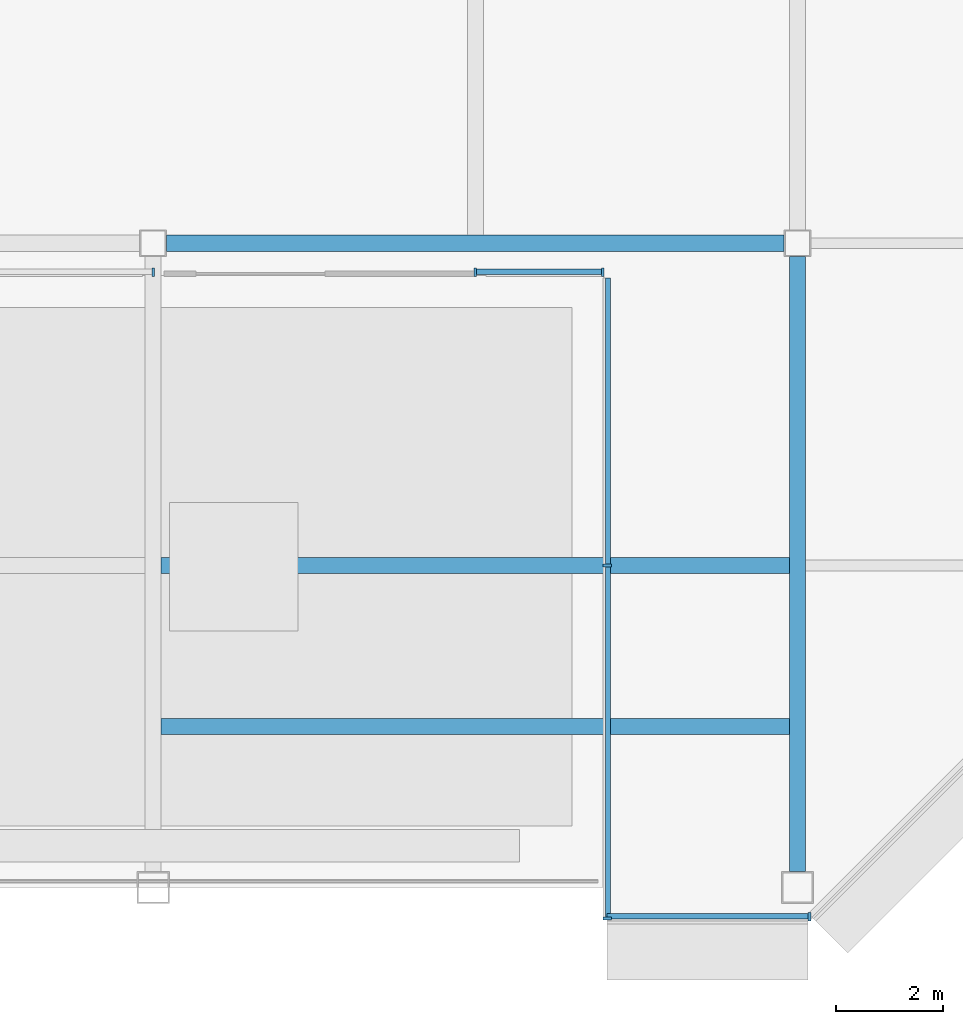
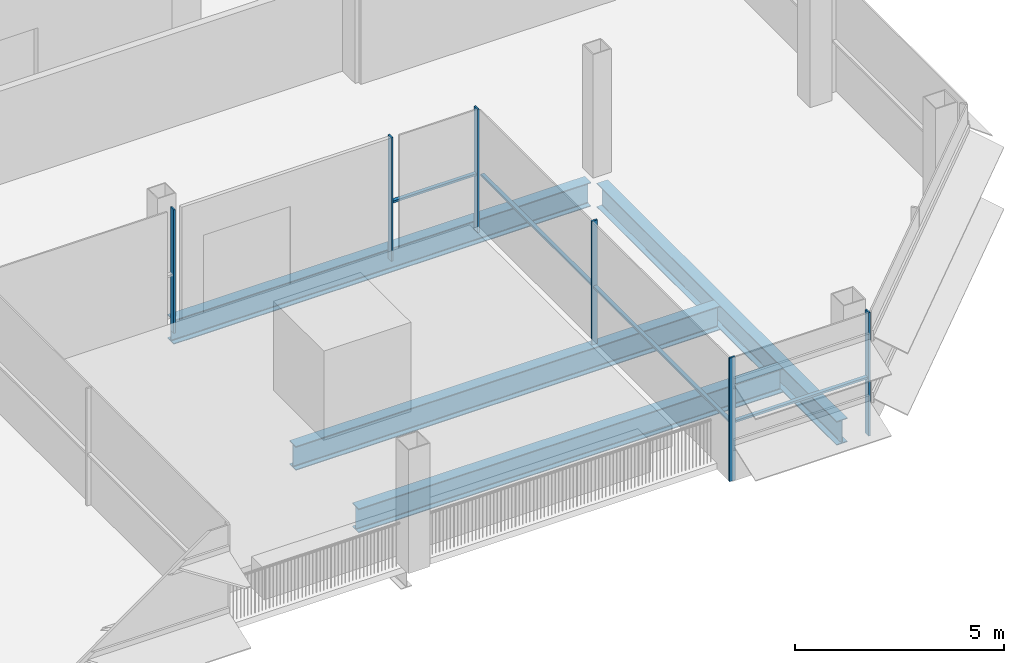
# One storey, part 11 of 30: 9 members, 4 beams, 3 elements without a shape of their own.
"""IFC4 building model written with IfcOpenShell, lengths in metres."""

import ifcopenshell
import ifcopenshell.guid

model = None  # the IFC model being written
_history = None  # IfcOwnerHistory: only IFC2X3 demands one
_inside = {}  # id of a spatial element -> (the spatial element, [elements in it])
_under = {}  # id of a project, library or spatial element -> (it, [spatial elements below it])
_declared = {}  # id of a project -> (the project, [libraries it declares])
_typed = {}  # id of a type object -> (the type object, [elements of that type])
_made_of = {}  # id of a material, layer set ... -> (it, [elements and type objects made of it])


def new_model(schema):
    """Start an empty IFC model of exactly this schema.

    Asked for "IFC4X3", IfcOpenShell would pick the latest addendum, in which some entities
    have other attributes; the version numbers below select the first issue.
    IFC2X3 requires an IfcOwnerHistory on every rooted entity: one is made here for all.
    """
    global model, _history
    if schema == "IFC4X3":
        model = ifcopenshell.file(schema_version=(4, 3, 0, 0))
    else:
        model = ifcopenshell.file(schema=schema)
    _inside.clear()
    _under.clear()
    _declared.clear()
    _typed.clear()
    _made_of.clear()
    _history = None
    if model.schema == "IFC2X3":
        org = make("IfcOrganization", Name="unknown")
        user = make(
            "IfcPersonAndOrganization",
            ThePerson=make("IfcPerson", FamilyName="unknown"),
            TheOrganization=org,
        )
        app = make(
            "IfcApplication",
            ApplicationDeveloper=org,
            Version="unknown",
            ApplicationFullName="unknown",
            ApplicationIdentifier="unknown",
        )
        _history = make(
            "IfcOwnerHistory",
            OwningUser=user,
            OwningApplication=app,
            ChangeAction="ADDED",
            CreationDate=0,
        )
    return model


def make(cls, **values):
    """One entity of the class cls with the attributes given. An attribute that is None is left unset."""
    return model.create_entity(
        cls, **{name: value for name, value in values.items() if value is not None}
    )


def rooted(cls, **values):
    """An entity with a GlobalId (a new one), such as an element, a storey or a relation."""
    return make(cls, GlobalId=ifcopenshell.guid.new(), OwnerHistory=_history, **values)


def si_unit(unit_type, name, prefix=None):
    """IfcSIUnit, for example si_unit("LENGTHUNIT", "METRE", prefix="MILLI")."""
    return make("IfcSIUnit", UnitType=unit_type, Prefix=prefix, Name=name)


def assignment(units):
    """IfcUnitAssignment: the units of a project."""
    return None if units is None else make("IfcUnitAssignment", Units=units)


def point(xyz):
    """IfcCartesianPoint."""
    return None if xyz is None else make("IfcCartesianPoint", Coordinates=xyz)


def direction(xyz):
    """IfcDirection."""
    return None if xyz is None else make("IfcDirection", DirectionRatios=xyz)


def frame(location, z_axis=None, x_axis=None):
    """IfcAxis2Placement3D, a coordinate frame: its origin and axes. An axis left out is left unset."""
    return make(
        "IfcAxis2Placement3D",
        Location=point(location),
        Axis=direction(z_axis),
        RefDirection=direction(x_axis),
    )


def frame_2d(location, x_axis=None):
    """IfcAxis2Placement2D, a coordinate frame in the plane: its origin and x axis."""
    return make(
        "IfcAxis2Placement2D", Location=point(location), RefDirection=direction(x_axis)
    )


def origin():
    """The frame at (0, 0, 0) with its axes left unset."""
    return frame((0.0, 0.0, 0.0))


def origin_2d():
    """The frame at (0, 0) in the plane with its x axis left unset."""
    return frame_2d((0.0, 0.0))


def place(relative_to, where):
    """IfcLocalPlacement: puts the frame where relative to a parent placement (None: the world)."""
    return make(
        "IfcLocalPlacement", PlacementRelTo=relative_to, RelativePlacement=where
    )


def context(
    kind, dimensions, precision=None, world=None, true_north=None, identifier=None
):
    """IfcGeometricRepresentationContext, for example the 3D "Model" context."""
    return make(
        "IfcGeometricRepresentationContext",
        ContextIdentifier=identifier,
        ContextType=kind,
        CoordinateSpaceDimension=dimensions,
        Precision=precision,
        WorldCoordinateSystem=world,
        TrueNorth=true_north,
    )


def subcontext(parent, identifier, kind, view, scale=None):
    """IfcGeometricRepresentationSubContext, for example "Body" below "Model"."""
    return make(
        "IfcGeometricRepresentationSubContext",
        ContextIdentifier=identifier,
        ContextType=kind,
        ParentContext=parent,
        TargetScale=scale,
        TargetView=view,
    )


def project(units=None, contexts=None):
    """IfcProject with its units and contexts."""
    return rooted(
        "IfcProject",
        Name="project",
        RepresentationContexts=contexts,
        UnitsInContext=assignment(units),
    )


def spatial(cls, under=None, at=None, **own):
    """A site, building, storey or space (cls), placed at a placement, below another one or the project."""
    s = rooted(cls, ObjectPlacement=at, **own)
    if under is not None:
        _under.setdefault(under.id(), (under, []))[1].append(s)
    return s


def profile(cls, at=None, kind="AREA", **sizes):
    """A parametric profile (cls). Its sizes go by their IFC names, for example OverallWidth=200.0."""
    return make(cls, ProfileType=kind, Position=at, **sizes)


def rectangle(**sizes):
    """IfcRectangleProfileDef."""
    return profile("IfcRectangleProfileDef", **sizes)


def i_section(**sizes):
    """IfcIShapeProfileDef."""
    return profile("IfcIShapeProfileDef", **sizes)


def extrude(swept, where, along, depth):
    """IfcExtrudedAreaSolid: the profile swept, set in the frame where, extruded along a direction by depth."""
    return make(
        "IfcExtrudedAreaSolid",
        SweptArea=swept,
        Position=where,
        ExtrudedDirection=direction(along),
        Depth=depth,
    )


def shape(context_of_items, identifier, shape_type, items):
    """IfcShapeRepresentation: the items that make up one representation, for example the "Body"."""
    return make(
        "IfcShapeRepresentation",
        ContextOfItems=context_of_items,
        RepresentationIdentifier=identifier,
        RepresentationType=shape_type,
        Items=items,
    )


def material(Name=None, Category=None):
    """IfcMaterial."""
    return make("IfcMaterial", Name=Name, Category=Category)


def material_profile(
    of_material, cross_section, Name=None, Category=None, Priority=None
):
    """IfcMaterialProfile: a cross section and its material."""
    return make(
        "IfcMaterialProfile",
        Name=Name,
        Material=of_material,
        Profile=cross_section,
        Priority=Priority,
        Category=Category,
    )


def profile_set(profiles, Name=None, composite=None):
    """IfcMaterialProfileSet."""
    return make(
        "IfcMaterialProfileSet",
        Name=Name,
        MaterialProfiles=profiles,
        CompositeProfile=composite,
    )


def made_of(thing, what):
    """Note that an element or type object is made of a material, layer set ...; save() writes the relation."""
    if what is not None:
        _made_of.setdefault(what.id(), (what, []))[1].append(thing)
    return thing


def type_object(cls, material=None, **own):
    """A type object (cls), such as IfcWallType, which elements share."""
    return made_of(rooted(cls, **own), material)


def element(
    cls,
    number,
    at=None,
    inside=None,
    cuts=None,
    type_object=None,
    material=None,
    context=None,
    identifier="Body",
    shape_type=None,
    held_by="IfcProductDefinitionShape",
    body=None,
    shapes=None,
    **own,
):
    """One element of the class cls, such as IfcWall. Its Tag is "e" and its number.

    at: its placement. inside: the storey or other place that contains it. cuts: it is an
    opening in that element (IfcRelVoidsElement). A single representation is given by context,
    identifier, shape_type and body (its items); several are given by shapes. held_by: the class
    of the entity that holds the representations. save() writes the other relations.
    """
    e = rooted(cls, Tag="e%d" % number, ObjectPlacement=at, **own)
    if body is not None:
        shapes = [shape(context, identifier, shape_type, body)]
    if shapes is not None:
        e.Representation = make(held_by, Representations=shapes)
    if inside is not None:
        _inside.setdefault(inside.id(), (inside, []))[1].append(e)
    if cuts is not None:
        rooted(
            "IfcRelVoidsElement", RelatingBuildingElement=cuts, RelatedOpeningElement=e
        )
    if type_object is not None:
        _typed.setdefault(type_object.id(), (type_object, []))[1].append(e)
    return made_of(e, material)


def aggregate(whole, parts):
    """IfcRelAggregates: a whole, such as a stair, and the parts it consists of."""
    return rooted("IfcRelAggregates", RelatingObject=whole, RelatedObjects=parts)


def save(model, path):
    """Write the relations noted so far, then the file.

    IfcRelAggregates (storeys below a building ...), IfcRelContainedInSpatialStructure (elements
    in a storey), IfcRelDefinesByType, IfcRelAssociatesMaterial and IfcRelDeclares: one each for
    every whole, place, type object, material and project.
    """
    for whole, parts in _under.values():
        aggregate(whole, parts)
    for where, things in _inside.values():
        rooted(
            "IfcRelContainedInSpatialStructure",
            RelatedElements=things,
            RelatingStructure=where,
        )
    for kind, things in _typed.values():
        rooted("IfcRelDefinesByType", RelatedObjects=things, RelatingType=kind)
    for what, things in _made_of.values():
        rooted("IfcRelAssociatesMaterial", RelatedObjects=things, RelatingMaterial=what)
    for by, libraries in _declared.values():
        rooted("IfcRelDeclares", RelatingContext=by, RelatedDefinitions=libraries)
    model.write(path)


model = new_model("IFC4")

# Units and contexts
model_context = context("Model", 3, precision=1e-05, world=origin(), true_north=direction((0.0, 1.0)))
body_context = subcontext(model_context, "Body", "Model", "MODEL_VIEW")
ifc_project = project(units=[si_unit("LENGTHUNIT", "METRE"), si_unit("AREAUNIT", "SQUARE_METRE"), si_unit("VOLUMEUNIT", "CUBIC_METRE"), si_unit("PLANEANGLEUNIT", "RADIAN"), si_unit("MASSUNIT", "GRAM", prefix="KILO")], contexts=[model_context])

# Site, building, storey
site_placement = place(None, origin())
site = spatial("IfcSite", under=ifc_project, at=site_placement, CompositionType="ELEMENT")
building_placement = place(site_placement, origin())
building = spatial("IfcBuilding", under=site, at=building_placement, Name="Sorahane Residences", CompositionType="ELEMENT")
storey_placement = place(building_placement, frame((0.0, 0.0, 263.0)))
storey = spatial("IfcBuildingStorey", under=building, at=storey_placement, Name="L62", CompositionType="ELEMENT", Elevation=263.0)

# Curtain wall, members
ifc_material_1 = material(Name="Dark low-e glass and black anodised aluminium", Category="aluminium")
curtain_wall_type = type_object("IfcCurtainWallType", Name="Curtain wall CW-1 Typical unitised wall", PredefinedType="NOTDEFINED", material=ifc_material_1)
curtain_wall_1_placement = place(storey_placement, origin())
curtain_wall_1 = element("IfcCurtainWall", 1, at=curtain_wall_1_placement, inside=storey, type_object=curtain_wall_type, Name="CW-1 curtain wall L62 S2", PredefinedType="NOTDEFINED")
ifc_material_2 = material(Name="Black anodised aluminium", Category="aluminium")
ifc_material_profile_1 = material_profile(ifc_material_2, rectangle(XDim=0.159912109375, YDim=0.050048828125, at=origin_2d()), Name="Curtain wall mullion CW-1 black anodised aluminium 50x160")
ifc_profile_set_1 = profile_set([ifc_material_profile_1], Name="Black anodised aluminium")
member_type_1 = type_object("IfcMemberType", Name="Curtain wall mullion CW-1 black anodised aluminium 50x160", PredefinedType="MULLION", material=ifc_profile_set_1)
member_1_placement = place(storey_placement, frame((36.0, 11.4599609375, -0.179931640625), z_axis=(0.0, 0.0, 1.0), x_axis=(0.0, -1.0, 0.0)))
member_1 = element("IfcMember", 2, at=member_1_placement, type_object=member_type_1, Name="CW-1 mullion L62 S2.2", PredefinedType="MULLION", context=body_context, shape_type="SweptSolid", body=[
    extrude(rectangle(XDim=0.159912109375, YDim=0.050048828125, at=origin_2d()), origin(), (0.0, 0.0, 1.0), 3.599853515625),
])
member_2_placement = place(storey_placement, frame((42.0, 11.4599609375, -0.179931640625), z_axis=(0.0, 0.0, 1.0), x_axis=(0.0, -1.0, 0.0)))
member_2 = element("IfcMember", 3, at=member_2_placement, type_object=member_type_1, Name="CW-1 mullion L62 S2.3", PredefinedType="MULLION", context=body_context, shape_type="SweptSolid", body=[
    extrude(rectangle(XDim=0.159912109375, YDim=0.050048828125, at=origin_2d()), origin(), (0.0, 0.0, 1.0), 3.599853515625),
])
member_3_placement = place(storey_placement, frame((44.375, 11.4599609375, -0.179931640625), z_axis=(0.0, 0.0, 1.0), x_axis=(0.0, -1.0, 0.0)))
member_3 = element("IfcMember", 4, at=member_3_placement, type_object=member_type_1, Name="CW-1 mullion L62 S2.4", PredefinedType="MULLION", context=body_context, shape_type="SweptSolid", body=[
    extrude(rectangle(XDim=0.159912109375, YDim=0.050048828125, at=origin_2d()), origin(), (0.0, 0.0, 1.0), 3.599853515625),
])

curtain_wall_2_placement = place(storey_placement, origin())
curtain_wall_2 = element("IfcCurtainWall", 5, at=curtain_wall_2_placement, inside=storey, type_object=curtain_wall_type, Name="CW-1 curtain wall L62 W1", PredefinedType="NOTDEFINED")
member_4_placement = place(storey_placement, frame((44.4599609375, 6.0, -0.179931640625), z_axis=(0.0, 0.0, 1.0), x_axis=(-1.0, 0.0, 0.0)))
member_4 = element("IfcMember", 6, at=member_4_placement, type_object=member_type_1, Name="CW-1 mullion L62 W1.2", PredefinedType="MULLION", context=body_context, shape_type="SweptSolid", body=[
    extrude(rectangle(XDim=0.159912109375, YDim=0.050048828125, at=origin_2d()), origin(), (0.0, 0.0, 1.0), 3.599853515625),
])
member_5_placement = place(storey_placement, frame((44.4599609375, -0.574951171875, -0.179931640625), z_axis=(0.0, 0.0, 1.0), x_axis=(-1.0, 0.0, 0.0)))
member_5 = element("IfcMember", 7, at=member_5_placement, type_object=member_type_1, Name="CW-1 mullion L62 W1.3", PredefinedType="MULLION", context=body_context, shape_type="SweptSolid", body=[
    extrude(rectangle(XDim=0.159912109375, YDim=0.050048828125, at=origin_2d()), origin(), (0.0, 0.0, 1.0), 3.599853515625),
])

# Curtain wall, member
curtain_wall_3_placement = place(storey_placement, origin())
curtain_wall_3 = element("IfcCurtainWall", 8, at=curtain_wall_3_placement, inside=storey, type_object=curtain_wall_type, Name="CW-1 curtain wall L62 S3", PredefinedType="NOTDEFINED")
member_6_placement = place(storey_placement, frame((48.2236328125, -0.5400390625, -0.179931640625), z_axis=(0.0, 0.0, 1.0), x_axis=(0.0, -1.0, 0.0)))
member_6 = element("IfcMember", 9, at=member_6_placement, type_object=member_type_1, Name="CW-1 mullion L62 S3.2", PredefinedType="MULLION", context=body_context, shape_type="SweptSolid", body=[
    extrude(rectangle(XDim=0.159912109375, YDim=0.050048828125, at=origin_2d()), origin(), (0.0, 0.0, 1.0), 3.599853515625),
])

# Member
ifc_material_3 = material(Name="Black anodised aluminium", Category="aluminium")
ifc_material_profile_2 = material_profile(ifc_material_3, rectangle(XDim=0.10009765625, YDim=0.06005859375, at=origin_2d()), Name="Curtain wall transom CW-1 black anodised aluminium 60x100")
ifc_profile_set_2 = profile_set([ifc_material_profile_2], Name="Black anodised aluminium")
member_type_2 = type_object("IfcMemberType", Name="Curtain wall transom CW-1 black anodised aluminium 60x100", PredefinedType="USERDEFINED", material=ifc_profile_set_2)
member_7_placement = place(storey_placement, frame((42.02490234375, 11.469970703125, 1.5), z_axis=(1.0, 0.0, 0.0), x_axis=(0.0, 1.0, 0.0)))
member_7 = element("IfcMember", 10, at=member_7_placement, type_object=member_type_2, Name="CW-1 transom L62 S2.2", ObjectType="TRANSOM", PredefinedType="USERDEFINED", context=body_context, shape_type="SweptSolid", body=[
    extrude(rectangle(XDim=0.10009765625, YDim=0.06005859375, at=origin_2d()), origin(), (0.0, 0.0, 1.0), 2.3251953125),
])

aggregate(curtain_wall_1, [member_1, member_2, member_3, member_7])

member_8_placement = place(storey_placement, frame((44.469970703125, 11.35009765625, 1.5), z_axis=(0.0, -1.0, 0.0), x_axis=(1.0, 0.0, 0.0)))
member_8 = element("IfcMember", 11, at=member_8_placement, type_object=member_type_2, Name="CW-1 transom L62 W1", ObjectType="TRANSOM", PredefinedType="USERDEFINED", context=body_context, shape_type="SweptSolid", body=[
    extrude(rectangle(XDim=0.10009765625, YDim=0.06005859375, at=origin_2d()), origin(), (0.0, 0.0, 1.0), 11.900146484375),
])

aggregate(curtain_wall_2, [member_4, member_5, member_8])

member_9_placement = place(storey_placement, frame((44.449951171875, -0.530029296875, 1.5), z_axis=(1.0, 0.0, 0.0), x_axis=(0.0, 1.0, 0.0)))
member_9 = element("IfcMember", 12, at=member_9_placement, type_object=member_type_2, Name="CW-1 transom L62 S3", ObjectType="TRANSOM", PredefinedType="USERDEFINED", context=body_context, shape_type="SweptSolid", body=[
    extrude(rectangle(XDim=0.10009765625, YDim=0.06005859375, at=origin_2d()), origin(), (0.0, 0.0, 1.0), 3.74853515625),
])

aggregate(curtain_wall_3, [member_6, member_9])

# Beams
ifc_material_4 = material(Name="Steel Q355B", Category="steel")
ifc_material_profile_3 = material_profile(ifc_material_4, i_section(OverallWidth=0.300048828125, OverallDepth=0.699951171875, WebThickness=0.012939453125, FlangeThickness=0.02392578125, FilletRadius=0.028076171875, at=origin_2d()), Name="HN 700x300x13x24")
ifc_profile_set_3 = profile_set([ifc_material_profile_3], Name="Steel Q355B")
beam_type = type_object("IfcBeamType", Name="Steel floor beam HN 700x300x13x24 Q355B", PredefinedType="BEAM", material=ifc_profile_set_3)
beam_1_placement = place(storey_placement, frame((36.25, 12.0, -0.530029296875), z_axis=(1.0, 0.0, 0.0), x_axis=(0.0, 1.0, 0.0)))
element("IfcBeam", 13, at=beam_1_placement, inside=storey, type_object=beam_type, Name="Beam L62 008", PredefinedType="BEAM", context=body_context, shape_type="SweptSolid", body=[
    extrude(i_section(OverallWidth=0.300048828125, OverallDepth=0.699951171875, WebThickness=0.012939453125, FlangeThickness=0.02392578125, FilletRadius=0.028076171875, at=origin_2d()), origin(), (0.0, 0.0, 1.0), 11.5),
])
beam_2_placement = place(storey_placement, frame((48.0, 0.300048828125, -0.530029296875), z_axis=(0.0, 1.0, 0.0), x_axis=(-1.0, 0.0, 0.0)))
element("IfcBeam", 14, at=beam_2_placement, inside=storey, type_object=beam_type, Name="Beam L62 055", PredefinedType="BEAM", context=body_context, shape_type="SweptSolid", body=[
    extrude(i_section(OverallWidth=0.300048828125, OverallDepth=0.699951171875, WebThickness=0.012939453125, FlangeThickness=0.02392578125, FilletRadius=0.028076171875, at=origin_2d()), origin(), (0.0, 0.0, 1.0), 11.449951171875),
])
beam_3_placement = place(storey_placement, frame((36.14990234375, 6.0, -0.530029296875), z_axis=(1.0, 0.0, 0.0), x_axis=(0.0, 1.0, 0.0)))
element("IfcBeam", 15, at=beam_3_placement, inside=storey, type_object=beam_type, Name="Beam L62 071", PredefinedType="BEAM", context=body_context, shape_type="SweptSolid", body=[
    extrude(i_section(OverallWidth=0.300048828125, OverallDepth=0.699951171875, WebThickness=0.012939453125, FlangeThickness=0.02392578125, FilletRadius=0.028076171875, at=origin_2d()), origin(), (0.0, 0.0, 1.0), 11.7001953125),
])
beam_4_placement = place(storey_placement, frame((36.150146484375, 3.0, -0.530029296875), z_axis=(1.0, 0.0, 0.0), x_axis=(0.0, 1.0, 0.0)))
element("IfcBeam", 16, at=beam_4_placement, inside=storey, type_object=beam_type, Name="Beam L62 088", PredefinedType="BEAM", context=body_context, shape_type="SweptSolid", body=[
    extrude(i_section(OverallWidth=0.300048828125, OverallDepth=0.699951171875, WebThickness=0.012939453125, FlangeThickness=0.02392578125, FilletRadius=0.028076171875, at=origin_2d()), origin(), (0.0, 0.0, 1.0), 11.69970703125),
])

save(model, "model.ifc")
